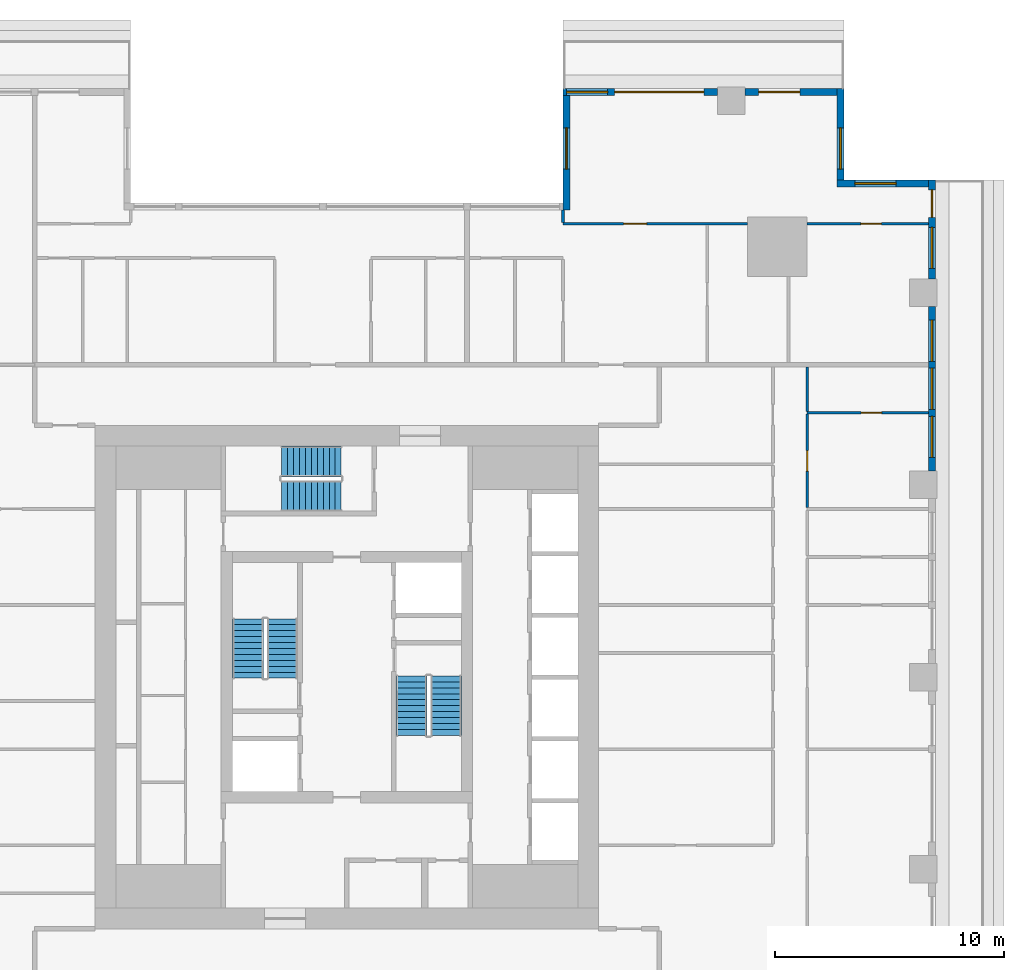
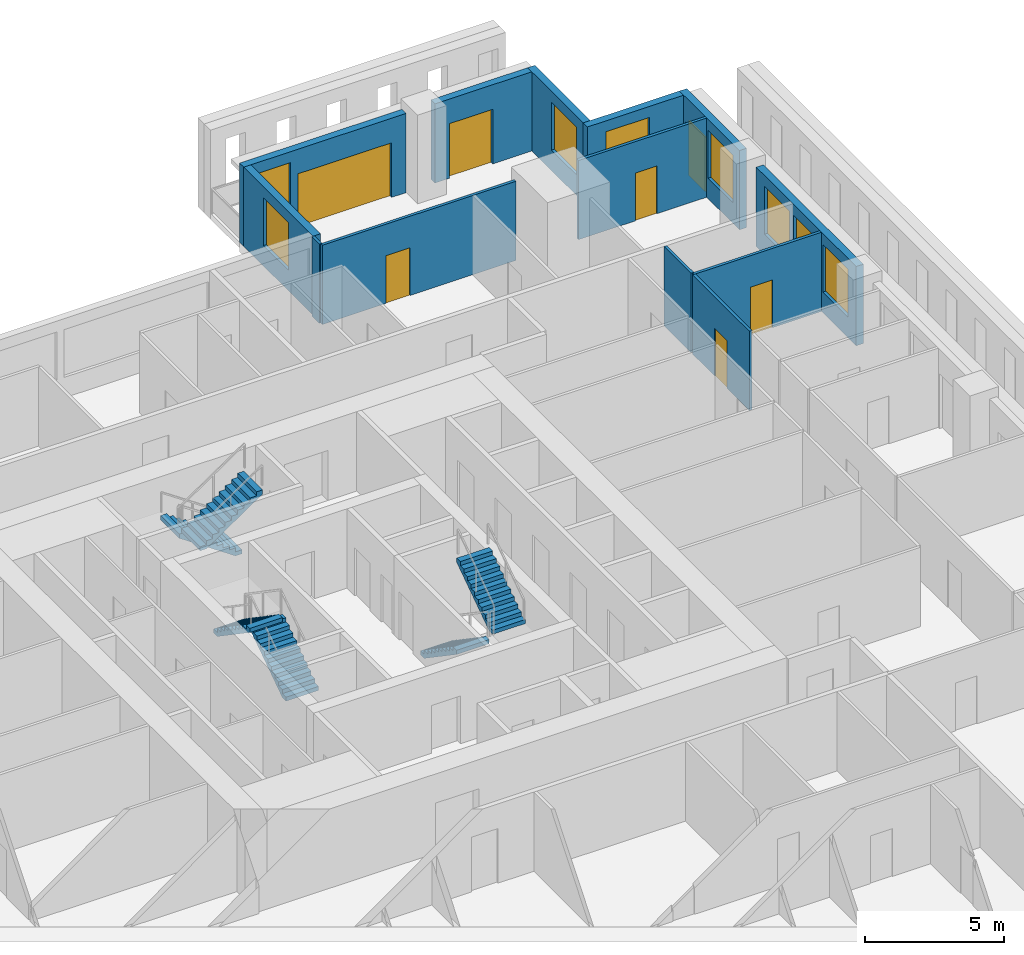
# One storey, part 9 of 15: 13 walls, 8 windows, 7 doors, 6 stair flights, 15 openings, 3 elements without a shape of their own.
"""IFC4 building model written with IfcOpenShell, lengths in metres."""

from ifc_helpers import new_model, si_unit, direction, frame, frame_2d, origin, place, context, subcontext, project, spatial, polyline, rectangle, outline, extrude, material, layer, layer_set, type_object, element, fill, aggregate, save


model = new_model("IFC4")

# Units and contexts
model_context = context("Model", 3, precision=1e-05, world=origin(), true_north=direction((0.0, 1.0)))
body_context = subcontext(model_context, "Body", "Model", "MODEL_VIEW")
ifc_project = project(units=[si_unit("LENGTHUNIT", "METRE"), si_unit("AREAUNIT", "SQUARE_METRE"), si_unit("VOLUMEUNIT", "CUBIC_METRE"), si_unit("PLANEANGLEUNIT", "RADIAN"), si_unit("MASSUNIT", "GRAM", prefix="KILO")], contexts=[model_context])

# Site, building, storey
site_placement = place(None, origin())
site = spatial("IfcSite", under=ifc_project, at=site_placement, CompositionType="ELEMENT")
building_placement = place(site_placement, origin())
building = spatial("IfcBuilding", under=site, at=building_placement, Name="Khepri Terraces", CompositionType="ELEMENT")
storey_placement = place(building_placement, frame((0.0, 0.0, 161.10009765625)))
storey = spatial("IfcBuildingStorey", under=building, at=storey_placement, Name="L38", CompositionType="ELEMENT", Elevation=161.10009765625)

# Wall, openings, windows
ifc_material_1 = material(Name="Precast concrete C50/60 warm stone", Category="masonry")
ifc_layer_1 = layer(ifc_material_1, 0.300048828125, Name="Precast concrete C50/60 warm stone", Category="masonry")
ifc_layer_set_1 = layer_set([ifc_layer_1], Name="Precast concrete C50/60 warm stone")
wall_type_1 = type_object("IfcWallType", Name="WL-EXT-PRECAST-300", PredefinedType="STANDARD", material=ifc_layer_set_1)
wall_1_placement = place(storey_placement, frame((25.570068359375, 9.0, 0.0), z_axis=(0.0, 0.0, 1.0), x_axis=(0.0, 1.0, 0.0)))
wall_1 = element("IfcWall", 1, at=wall_1_placement, inside=storey, type_object=wall_type_1, Name="External wall L38 E", PredefinedType="STANDARD", context=body_context, shape_type="SweptSolid", body=[
    extrude(rectangle(XDim=7.199951171875, YDim=0.300048828125, at=frame_2d((3.60009765625, 0.0))), origin(), (0.0, 0.0, 1.0), 3.47998046875),
])
opening_1_placement = place(wall_1_placement, frame((0.60009765625, 0.0, 0.89990234375)))
opening_1 = element("IfcOpeningElement", 2, at=opening_1_placement, cuts=wall_1, Name="Opening W1", PredefinedType="OPENING", context=body_context, shape_type="SweptSolid", body=[
    extrude(rectangle(XDim=1.800048828125, YDim=2.10009765625, at=frame_2d((0.89990234375, 1.050048828125))), frame((0.0, 0.16015625, 0.0), z_axis=(0.0, -1.0, 0.0), x_axis=(1.0, 0.0, 0.0)), (0.0, 0.0, 1.0), 0.320068359375),
])
opening_2_placement = place(wall_1_placement, frame((2.699951171875, 0.0, 0.89990234375)))
opening_2 = element("IfcOpeningElement", 3, at=opening_2_placement, cuts=wall_1, Name="Opening W1", PredefinedType="OPENING", context=body_context, shape_type="SweptSolid", body=[
    extrude(rectangle(XDim=1.800048828125, YDim=2.10009765625, at=frame_2d((0.89990234375, 1.050048828125))), frame((0.0, 0.16015625, 0.0), z_axis=(0.0, -1.0, 0.0), x_axis=(1.0, 0.0, 0.0)), (0.0, 0.0, 1.0), 0.320068359375),
])
opening_3_placement = place(wall_1_placement, frame((4.800048828125, 0.0, 0.89990234375)))
opening_3 = element("IfcOpeningElement", 4, at=opening_3_placement, cuts=wall_1, Name="Opening W1", PredefinedType="OPENING", context=body_context, shape_type="SweptSolid", body=[
    extrude(rectangle(XDim=1.800048828125, YDim=2.10009765625, at=frame_2d((0.89990234375, 1.050048828125))), frame((0.0, 0.16015625, 0.0), z_axis=(0.0, -1.0, 0.0), x_axis=(1.0, 0.0, 0.0)), (0.0, 0.0, 1.0), 0.320068359375),
])
ifc_material_2 = material(Name="Clear glass", Category="glass")
window_type = type_object("IfcWindowType", Name="WIN-RES-1800x2100", PartitioningType="SINGLE_PANEL", PredefinedType="WINDOW", material=ifc_material_2)
window_1_placement = place(opening_1_placement, origin())
window_1 = element("IfcWindow", 5, at=window_1_placement, inside=storey, type_object=window_type, Name="Window L38 E", OverallHeight=2.10009765625, OverallWidth=1.800048828125, PartitioningType="SINGLE_PANEL", PredefinedType="WINDOW", context=body_context, shape_type="SweptSolid", body=[
    extrude(rectangle(XDim=1.800048828125, YDim=2.10009765625, at=frame_2d((0.89990234375, 1.050048828125))), frame((0.0, 0.030029296875, 0.0), z_axis=(0.0, -1.0, 0.0), x_axis=(1.0, 0.0, 0.0)), (0.0, 0.0, 1.0), 0.06005859375),
])
fill(opening_1, window_1)
window_2_placement = place(opening_2_placement, origin())
window_2 = element("IfcWindow", 6, at=window_2_placement, inside=storey, type_object=window_type, Name="Window L38 E", OverallHeight=2.10009765625, OverallWidth=1.800048828125, PartitioningType="SINGLE_PANEL", PredefinedType="WINDOW", context=body_context, shape_type="SweptSolid", body=[
    extrude(rectangle(XDim=1.800048828125, YDim=2.10009765625, at=frame_2d((0.89990234375, 1.050048828125))), frame((0.0, 0.030029296875, 0.0), z_axis=(0.0, -1.0, 0.0), x_axis=(1.0, 0.0, 0.0)), (0.0, 0.0, 1.0), 0.06005859375),
])
fill(opening_2, window_2)
window_3_placement = place(opening_3_placement, origin())
window_3 = element("IfcWindow", 7, at=window_3_placement, inside=storey, type_object=window_type, Name="Window L38 E", OverallHeight=2.10009765625, OverallWidth=1.800048828125, PartitioningType="SINGLE_PANEL", PredefinedType="WINDOW", context=body_context, shape_type="SweptSolid", body=[
    extrude(rectangle(XDim=1.800048828125, YDim=2.10009765625, at=frame_2d((0.89990234375, 1.050048828125))), frame((0.0, 0.030029296875, 0.0), z_axis=(0.0, -1.0, 0.0), x_axis=(1.0, 0.0, 0.0)), (0.0, 0.0, 1.0), 0.06005859375),
])
fill(opening_3, window_3)

# Wall, openings, door, window
wall_2_placement = place(storey_placement, frame((25.570068359375, 17.39990234375, 0.0), z_axis=(0.0, 0.0, 1.0), x_axis=(0.0, 1.0, 0.0)))
wall_2 = element("IfcWall", 8, at=wall_2_placement, inside=storey, type_object=wall_type_1, Name="External wall L38 E", PredefinedType="STANDARD", context=body_context, shape_type="SweptSolid", body=[
    extrude(rectangle(XDim=4.320068359375, YDim=0.300048828125, at=frame_2d((2.16015625, 0.0))), origin(), (0.0, 0.0, 1.0), 3.47998046875),
])
opening_4_placement = place(wall_2_placement, frame((2.695068359375, 0.0, 0.0)))
opening_4 = element("IfcOpeningElement", 9, at=opening_4_placement, cuts=wall_2, Name="Opening ED-L38-07", PredefinedType="OPENING", context=body_context, shape_type="SweptSolid", body=[
    extrude(rectangle(XDim=1.199951171875, YDim=2.39990234375, at=frame_2d((0.60009765625, 1.199951171875))), frame((0.0, 0.16015625, 0.0), z_axis=(0.0, -1.0, 0.0), x_axis=(1.0, 0.0, 0.0)), (0.0, 0.0, 1.0), 0.320068359375),
])
opening_5_placement = place(wall_2_placement, frame((0.4599609375, 0.0, 0.89990234375)))
opening_5 = element("IfcOpeningElement", 10, at=opening_5_placement, cuts=wall_2, Name="Opening W1", PredefinedType="OPENING", context=body_context, shape_type="SweptSolid", body=[
    extrude(rectangle(XDim=1.800048828125, YDim=2.10009765625, at=frame_2d((0.89990234375, 1.050048828125))), frame((0.0, 0.16015625, 0.0), z_axis=(0.0, -1.0, 0.0), x_axis=(1.0, 0.0, 0.0)), (0.0, 0.0, 1.0), 0.320068359375),
])
ifc_material_3 = material(Name="Anodised aluminium bronze glazed door", Category="aluminium")
door_type_1 = type_object("IfcDoorType", Name="DR-BAL-SLIDE-1200x2400", OperationType="NOTDEFINED", PredefinedType="DOOR", material=ifc_material_3)
door_1_placement = place(opening_4_placement, origin())
door_1 = element("IfcDoor", 11, at=door_1_placement, inside=storey, type_object=door_type_1, Name="Balcony door L38 E", OperationType="SLIDING_TO_LEFT", OverallHeight=2.39990234375, OverallWidth=1.199951171875, PredefinedType="DOOR", context=body_context, shape_type="SweptSolid", body=[
    extrude(rectangle(XDim=1.199951171875, YDim=2.39990234375, at=frame_2d((0.60009765625, 1.199951171875))), frame((0.0, 0.02490234375, 0.0), z_axis=(0.0, -1.0, 0.0), x_axis=(1.0, 0.0, 0.0)), (0.0, 0.0, 1.0), 0.050048828125),
])
fill(opening_4, door_1)
window_4_placement = place(opening_5_placement, origin())
window_4 = element("IfcWindow", 12, at=window_4_placement, inside=storey, type_object=window_type, Name="Window L38 E", OverallHeight=2.10009765625, OverallWidth=1.800048828125, PartitioningType="SINGLE_PANEL", PredefinedType="WINDOW", context=body_context, shape_type="SweptSolid", body=[
    extrude(rectangle(XDim=1.800048828125, YDim=2.10009765625, at=frame_2d((0.89990234375, 1.050048828125))), frame((0.0, 0.030029296875, 0.0), z_axis=(0.0, -1.0, 0.0), x_axis=(1.0, 0.0, 0.0)), (0.0, 0.0, 1.0), 0.06005859375),
])
fill(opening_5, window_4)

# Wall, opening, window
wall_3_placement = place(storey_placement, frame((25.419921875, 21.570068359375, 0.0), z_axis=(0.0, 0.0, 1.0), x_axis=(-1.0, 0.0, 0.0)))
wall_3 = element("IfcWall", 13, at=wall_3_placement, inside=storey, type_object=wall_type_1, Name="External wall L38 N", PredefinedType="STANDARD", context=body_context, shape_type="SweptSolid", body=[
    extrude(rectangle(XDim=4.0, YDim=0.300048828125, at=frame_2d((2.0, 0.0))), origin(), (0.0, 0.0, 1.0), 3.47998046875),
])
opening_6_placement = place(wall_3_placement, frame((1.419921875, 0.0, 0.89990234375)))
opening_6 = element("IfcOpeningElement", 14, at=opening_6_placement, cuts=wall_3, Name="Opening W1", PredefinedType="OPENING", context=body_context, shape_type="SweptSolid", body=[
    extrude(rectangle(XDim=1.800048828125, YDim=2.10009765625, at=frame_2d((0.89990234375, 1.050048828125))), frame((0.0, 0.16015625, 0.0), z_axis=(0.0, -1.0, 0.0), x_axis=(1.0, 0.0, 0.0)), (0.0, 0.0, 1.0), 0.320068359375),
])
window_5_placement = place(opening_6_placement, origin())
window_5 = element("IfcWindow", 15, at=window_5_placement, inside=storey, type_object=window_type, Name="Window L38 N", OverallHeight=2.10009765625, OverallWidth=1.800048828125, PartitioningType="SINGLE_PANEL", PredefinedType="WINDOW", context=body_context, shape_type="SweptSolid", body=[
    extrude(rectangle(XDim=1.800048828125, YDim=2.10009765625, at=frame_2d((0.89990234375, 1.050048828125))), frame((0.0, 0.030029296875, 0.0), z_axis=(0.0, -1.0, 0.0), x_axis=(1.0, 0.0, 0.0)), (0.0, 0.0, 1.0), 0.06005859375),
])
fill(opening_6, window_5)

wall_4_placement = place(storey_placement, frame((21.570068359375, 21.719970703125, 0.0), z_axis=(0.0, 0.0, 1.0), x_axis=(0.0, 1.0, 0.0)))
wall_4 = element("IfcWall", 16, at=wall_4_placement, inside=storey, type_object=wall_type_1, Name="External wall L38 E", PredefinedType="STANDARD", context=body_context, shape_type="SweptSolid", body=[
    extrude(rectangle(XDim=4.0, YDim=0.300048828125, at=frame_2d((2.0, 0.0))), origin(), (0.0, 0.0, 1.0), 3.47998046875),
])
opening_7_placement = place(wall_4_placement, frame((0.47998046875, 0.0, 0.89990234375)))
opening_7 = element("IfcOpeningElement", 17, at=opening_7_placement, cuts=wall_4, Name="Opening W1", PredefinedType="OPENING", context=body_context, shape_type="SweptSolid", body=[
    extrude(rectangle(XDim=1.800048828125, YDim=2.10009765625, at=frame_2d((0.89990234375, 1.050048828125))), frame((0.0, 0.16015625, 0.0), z_axis=(0.0, -1.0, 0.0), x_axis=(1.0, 0.0, 0.0)), (0.0, 0.0, 1.0), 0.320068359375),
])
window_6_placement = place(opening_7_placement, origin())
window_6 = element("IfcWindow", 18, at=window_6_placement, inside=storey, type_object=window_type, Name="Window L38 E", OverallHeight=2.10009765625, OverallWidth=1.800048828125, PartitioningType="SINGLE_PANEL", PredefinedType="WINDOW", context=body_context, shape_type="SweptSolid", body=[
    extrude(rectangle(XDim=1.800048828125, YDim=2.10009765625, at=frame_2d((0.89990234375, 1.050048828125))), frame((0.0, 0.030029296875, 0.0), z_axis=(0.0, -1.0, 0.0), x_axis=(1.0, 0.0, 0.0)), (0.0, 0.0, 1.0), 0.06005859375),
])
fill(opening_7, window_6)

# Wall, opening, door
wall_5_placement = place(storey_placement, frame((21.419921875, 25.570068359375, 0.0), z_axis=(0.0, 0.0, 1.0), x_axis=(-1.0, 0.0, 0.0)))
wall_5 = element("IfcWall", 19, at=wall_5_placement, inside=storey, type_object=wall_type_1, Name="External wall L38 N", PredefinedType="STANDARD", context=body_context, shape_type="SweptSolid", body=[
    extrude(rectangle(XDim=4.02001953125, YDim=0.300048828125, at=frame_2d((2.010009765625, 0.0))), origin(), (0.0, 0.0, 1.0), 3.47998046875),
])
opening_8_placement = place(wall_5_placement, frame((1.6201171875, 0.0, 0.0)))
opening_8 = element("IfcOpeningElement", 20, at=opening_8_placement, cuts=wall_5, Name="Opening ED-L38-08", PredefinedType="OPENING", context=body_context, shape_type="SweptSolid", body=[
    extrude(rectangle(XDim=1.800048828125, YDim=2.39990234375, at=frame_2d((0.89990234375, 1.199951171875))), frame((0.0, 0.16015625, 0.0), z_axis=(0.0, -1.0, 0.0), x_axis=(1.0, 0.0, 0.0)), (0.0, 0.0, 1.0), 0.320068359375),
])
door_type_2 = type_object("IfcDoorType", Name="DR-BAL-SLIDE-1800x2400", OperationType="NOTDEFINED", PredefinedType="DOOR", material=ifc_material_3)
door_2_placement = place(opening_8_placement, origin())
door_2 = element("IfcDoor", 21, at=door_2_placement, inside=storey, type_object=door_type_2, Name="Balcony door L38 N", OperationType="SLIDING_TO_RIGHT", OverallHeight=2.39990234375, OverallWidth=1.800048828125, PredefinedType="DOOR", context=body_context, shape_type="SweptSolid", body=[
    extrude(rectangle(XDim=1.800048828125, YDim=2.39990234375, at=frame_2d((0.89990234375, 1.199951171875))), frame((0.0, 0.02490234375, 0.0), z_axis=(0.0, -1.0, 0.0), x_axis=(1.0, 0.0, 0.0)), (0.0, 0.0, 1.0), 0.050048828125),
])
fill(opening_8, door_2)

# Wall, openings, door, window
wall_6_placement = place(storey_placement, frame((16.199951171875, 25.570068359375, 0.0), z_axis=(0.0, 0.0, 1.0), x_axis=(-1.0, 0.0, 0.0)))
wall_6 = element("IfcWall", 22, at=wall_6_placement, inside=storey, type_object=wall_type_1, Name="External wall L38 N", PredefinedType="STANDARD", context=body_context, shape_type="SweptSolid", body=[
    extrude(rectangle(XDim=6.75, YDim=0.300048828125, at=frame_2d((3.375, 0.0))), origin(), (0.0, 0.0, 1.0), 3.47998046875),
])
opening_9_placement = place(wall_6_placement, frame((0.60009765625, 0.0, 0.0)))
opening_9 = element("IfcOpeningElement", 23, at=opening_9_placement, cuts=wall_6, Name="Opening ED-L38-09", PredefinedType="OPENING", context=body_context, shape_type="SweptSolid", body=[
    extrude(rectangle(XDim=3.89990234375, YDim=2.39990234375, at=frame_2d((1.949951171875, 1.199951171875))), frame((0.0, 0.16015625, 0.0), z_axis=(0.0, -1.0, 0.0), x_axis=(1.0, 0.0, 0.0)), (0.0, 0.0, 1.0), 0.320068359375),
])
opening_10_placement = place(wall_6_placement, frame((4.800048828125, 0.0, 0.89990234375)))
opening_10 = element("IfcOpeningElement", 24, at=opening_10_placement, cuts=wall_6, Name="Opening W1", PredefinedType="OPENING", context=body_context, shape_type="SweptSolid", body=[
    extrude(rectangle(XDim=1.800048828125, YDim=2.10009765625, at=frame_2d((0.89990234375, 1.050048828125))), frame((0.0, 0.16015625, 0.0), z_axis=(0.0, -1.0, 0.0), x_axis=(1.0, 0.0, 0.0)), (0.0, 0.0, 1.0), 0.320068359375),
])
door_type_3 = type_object("IfcDoorType", Name="DR-BAL-SLIDE-3900x2400", OperationType="NOTDEFINED", PredefinedType="DOOR", material=ifc_material_3)
door_3_placement = place(opening_9_placement, origin())
door_3 = element("IfcDoor", 25, at=door_3_placement, inside=storey, type_object=door_type_3, Name="Balcony door L38 N", OperationType="SLIDING_TO_LEFT", OverallHeight=2.39990234375, OverallWidth=3.89990234375, PredefinedType="DOOR", context=body_context, shape_type="SweptSolid", body=[
    extrude(rectangle(XDim=3.89990234375, YDim=2.39990234375, at=frame_2d((1.949951171875, 1.199951171875))), frame((0.0, 0.02490234375, 0.0), z_axis=(0.0, -1.0, 0.0), x_axis=(1.0, 0.0, 0.0)), (0.0, 0.0, 1.0), 0.050048828125),
])
fill(opening_9, door_3)
window_7_placement = place(opening_10_placement, origin())
window_7 = element("IfcWindow", 26, at=window_7_placement, inside=storey, type_object=window_type, Name="Window L38 N", OverallHeight=2.10009765625, OverallWidth=1.800048828125, PartitioningType="SINGLE_PANEL", PredefinedType="WINDOW", context=body_context, shape_type="SweptSolid", body=[
    extrude(rectangle(XDim=1.800048828125, YDim=2.10009765625, at=frame_2d((0.89990234375, 1.050048828125))), frame((0.0, 0.030029296875, 0.0), z_axis=(0.0, -1.0, 0.0), x_axis=(1.0, 0.0, 0.0)), (0.0, 0.0, 1.0), 0.06005859375),
])
fill(opening_10, window_7)

# Wall, opening, window
wall_7_placement = place(storey_placement, frame((9.60009765625, 25.419921875, 0.0), z_axis=(0.0, 0.0, 1.0), x_axis=(0.0, -1.0, 0.0)))
wall_7 = element("IfcWall", 27, at=wall_7_placement, inside=storey, type_object=wall_type_1, Name="External wall L38 W", PredefinedType="STANDARD", context=body_context, shape_type="SweptSolid", body=[
    extrude(rectangle(XDim=5.0, YDim=0.300048828125, at=frame_2d((2.5, 0.0))), origin(), (0.0, 0.0, 1.0), 3.47998046875),
])
opening_11_placement = place(wall_7_placement, frame((1.419921875, 0.0, 0.89990234375)))
opening_11 = element("IfcOpeningElement", 28, at=opening_11_placement, cuts=wall_7, Name="Opening W1", PredefinedType="OPENING", context=body_context, shape_type="SweptSolid", body=[
    extrude(rectangle(XDim=1.800048828125, YDim=2.10009765625, at=frame_2d((0.89990234375, 1.050048828125))), frame((0.0, 0.16015625, 0.0), z_axis=(0.0, -1.0, 0.0), x_axis=(1.0, 0.0, 0.0)), (0.0, 0.0, 1.0), 0.320068359375),
])
window_8_placement = place(opening_11_placement, origin())
window_8 = element("IfcWindow", 29, at=window_8_placement, inside=storey, type_object=window_type, Name="Window L38 W", OverallHeight=2.10009765625, OverallWidth=1.800048828125, PartitioningType="SINGLE_PANEL", PredefinedType="WINDOW", context=body_context, shape_type="SweptSolid", body=[
    extrude(rectangle(XDim=1.800048828125, YDim=2.10009765625, at=frame_2d((0.89990234375, 1.050048828125))), frame((0.0, 0.030029296875, 0.0), z_axis=(0.0, -1.0, 0.0), x_axis=(1.0, 0.0, 0.0)), (0.0, 0.0, 1.0), 0.06005859375),
])
fill(opening_11, window_8)

# Wall, opening, door
ifc_material_4 = material(Name="Gypsum plasterboard partition")
ifc_layer_2 = layer(ifc_material_4, 0.1201171875, Name="Gypsum plasterboard partition")
ifc_layer_set_2 = layer_set([ifc_layer_2], Name="Gypsum plasterboard partition")
wall_type_2 = type_object("IfcWallType", Name="WL-PART-120", PredefinedType="PARTITIONING", material=ifc_layer_set_2)
wall_8_placement = place(storey_placement, frame((20.1201171875, 7.409912109375, 0.0), z_axis=(0.0, 0.0, 1.0), x_axis=(0.0, 1.0, 0.0)))
wall_8 = element("IfcWall", 30, at=wall_8_placement, inside=storey, type_object=wall_type_2, Name="Partition P-072 L38", PredefinedType="PARTITIONING", context=body_context, shape_type="SweptSolid", body=[
    extrude(rectangle(XDim=4.080078125, YDim=0.1201171875, at=frame_2d((2.0400390625, 0.0))), origin(), (0.0, 0.0, 1.0), 3.47998046875),
])
opening_12_placement = place(wall_8_placement, frame((1.590087890625, 0.0, 0.0)))
opening_12 = element("IfcOpeningElement", 31, at=opening_12_placement, cuts=wall_8, Name="Opening D3", PredefinedType="OPENING", context=body_context, shape_type="SweptSolid", body=[
    extrude(rectangle(XDim=0.89990234375, YDim=2.10009765625, at=frame_2d((0.449951171875, 1.050048828125))), frame((0.0, 0.070068359375, 0.0), z_axis=(0.0, -1.0, 0.0), x_axis=(1.0, 0.0, 0.0)), (0.0, 0.0, 1.0), 0.14013671875),
])
ifc_material_5 = material(Name="Timber door leaf", Category="wood")
door_type_4 = type_object("IfcDoorType", Name="DR-INT-900", OperationType="NOTDEFINED", PredefinedType="DOOR", material=ifc_material_5)
door_4_placement = place(opening_12_placement, frame((0.89990234375, 0.0, 0.0), z_axis=(0.0, 0.0, 1.0), x_axis=(-1.0, 0.0, 0.0)))
door_4 = element("IfcDoor", 32, at=door_4_placement, inside=storey, type_object=door_type_4, Name="Door Bedroom", OperationType="SINGLE_SWING_RIGHT", OverallHeight=2.10009765625, OverallWidth=0.89990234375, PredefinedType="DOOR", context=body_context, shape_type="SweptSolid", body=[
    extrude(rectangle(XDim=0.89990234375, YDim=2.10009765625, at=frame_2d((0.449951171875, 1.050048828125))), frame((0.0, 0.02490234375, 0.0), z_axis=(0.0, -1.0, 0.0), x_axis=(1.0, 0.0, 0.0)), (0.0, 0.0, 1.0), 0.050048828125),
])
fill(opening_12, door_4)

wall_9_placement = place(storey_placement, frame((20.1201171875, 11.550048828125, 0.0), z_axis=(0.0, 0.0, 1.0), x_axis=(1.0, 0.0, 0.0)))
wall_9 = element("IfcWall", 33, at=wall_9_placement, inside=storey, type_object=wall_type_2, Name="Partition P-080 L38", PredefinedType="PARTITIONING", context=body_context, shape_type="SweptSolid", body=[
    extrude(rectangle(XDim=5.2998046875, YDim=0.1201171875, at=frame_2d((2.64990234375, 0.0))), origin(), (0.0, 0.0, 1.0), 3.47998046875),
])
opening_13_placement = place(wall_9_placement, frame((2.35009765625, 0.0, 0.0)))
opening_13 = element("IfcOpeningElement", 34, at=opening_13_placement, cuts=wall_9, Name="Opening D4", PredefinedType="OPENING", context=body_context, shape_type="SweptSolid", body=[
    extrude(rectangle(XDim=0.89990234375, YDim=2.10009765625, at=frame_2d((0.449951171875, 1.050048828125))), frame((0.0, 0.070068359375, 0.0), z_axis=(0.0, -1.0, 0.0), x_axis=(1.0, 0.0, 0.0)), (0.0, 0.0, 1.0), 0.14013671875),
])
ifc_material_6 = material(Name="Timber door leaf, moisture resistant", Category="wood")
door_type_5 = type_object("IfcDoorType", Name="DR-WET-900", OperationType="NOTDEFINED", PredefinedType="DOOR", material=ifc_material_6)
door_5_placement = place(opening_13_placement, origin())
door_5 = element("IfcDoor", 35, at=door_5_placement, inside=storey, type_object=door_type_5, Name="Door Bathroom", OperationType="SINGLE_SWING_RIGHT", OverallHeight=2.10009765625, OverallWidth=0.89990234375, PredefinedType="DOOR", context=body_context, shape_type="SweptSolid", body=[
    extrude(rectangle(XDim=0.89990234375, YDim=2.10009765625, at=frame_2d((0.449951171875, 1.050048828125))), frame((0.0, 0.02490234375, 0.0), z_axis=(0.0, -1.0, 0.0), x_axis=(1.0, 0.0, 0.0)), (0.0, 0.0, 1.0), 0.050048828125),
])
fill(opening_13, door_5)

# Wall
wall_10_placement = place(storey_placement, frame((20.1201171875, 11.610107421875, 0.0), z_axis=(0.0, 0.0, 1.0), x_axis=(0.0, 1.0, 0.0)))
element("IfcWall", 36, at=wall_10_placement, inside=storey, type_object=wall_type_2, Name="Partition P-082 L38", PredefinedType="PARTITIONING", context=body_context, shape_type="SweptSolid", body=[
    extrude(rectangle(XDim=1.93994140625, YDim=0.1201171875, at=frame_2d((0.969970703125, 0.0))), origin(), (0.0, 0.0, 1.0), 3.47998046875),
])

# Wall, opening, door
wall_11_placement = place(storey_placement, frame((9.449951171875, 19.820068359375, 0.0), z_axis=(0.0, 0.0, 1.0), x_axis=(1.0, 0.0, 0.0)))
wall_11 = element("IfcWall", 37, at=wall_11_placement, inside=storey, type_object=wall_type_2, Name="Partition P-101 L38", PredefinedType="PARTITIONING", context=body_context, shape_type="SweptSolid", body=[
    extrude(rectangle(XDim=8.050048828125, YDim=0.1201171875, at=frame_2d((4.02490234375, 0.0))), origin(), (0.0, 0.0, 1.0), 3.47998046875),
])
opening_14_placement = place(wall_11_placement, frame((2.64990234375, 0.0, 0.0)))
opening_14 = element("IfcOpeningElement", 38, at=opening_14_placement, cuts=wall_11, Name="Opening D2", PredefinedType="OPENING", context=body_context, shape_type="SweptSolid", body=[
    extrude(rectangle(XDim=1.0, YDim=2.10009765625, at=frame_2d((0.5, 1.050048828125))), frame((0.0, 0.070068359375, 0.0), z_axis=(0.0, -1.0, 0.0), x_axis=(1.0, 0.0, 0.0)), (0.0, 0.0, 1.0), 0.14013671875),
])
ifc_material_7 = material(Name="Timber door leaf, living room door", Category="wood")
door_type_6 = type_object("IfcDoorType", Name="DR-INT-1000", OperationType="NOTDEFINED", PredefinedType="DOOR", material=ifc_material_7)
door_6_placement = place(opening_14_placement, origin())
door_6 = element("IfcDoor", 39, at=door_6_placement, inside=storey, type_object=door_type_6, Name="Door Living Room", OperationType="SINGLE_SWING_LEFT", OverallHeight=2.10009765625, OverallWidth=1.0, PredefinedType="DOOR", context=body_context, shape_type="SweptSolid", body=[
    extrude(rectangle(XDim=1.0, YDim=2.10009765625, at=frame_2d((0.5, 1.050048828125))), frame((0.0, 0.02490234375, 0.0), z_axis=(0.0, -1.0, 0.0), x_axis=(1.0, 0.0, 0.0)), (0.0, 0.0, 1.0), 0.050048828125),
])
fill(opening_14, door_6)

wall_12_placement = place(storey_placement, frame((20.10009765625, 19.820068359375, 0.0), z_axis=(0.0, 0.0, 1.0), x_axis=(1.0, 0.0, 0.0)))
wall_12 = element("IfcWall", 40, at=wall_12_placement, inside=storey, type_object=wall_type_2, Name="Partition P-102 L38", PredefinedType="PARTITIONING", context=body_context, shape_type="SweptSolid", body=[
    extrude(rectangle(XDim=5.31982421875, YDim=0.1201171875, at=frame_2d((2.659912109375, 0.0))), origin(), (0.0, 0.0, 1.0), 3.47998046875),
])
opening_15_placement = place(wall_12_placement, frame((2.360107421875, 0.0, 0.0)))
opening_15 = element("IfcOpeningElement", 41, at=opening_15_placement, cuts=wall_12, Name="Opening D3", PredefinedType="OPENING", context=body_context, shape_type="SweptSolid", body=[
    extrude(rectangle(XDim=0.89990234375, YDim=2.10009765625, at=frame_2d((0.449951171875, 1.050048828125))), frame((0.0, 0.070068359375, 0.0), z_axis=(0.0, -1.0, 0.0), x_axis=(1.0, 0.0, 0.0)), (0.0, 0.0, 1.0), 0.14013671875),
])
door_7_placement = place(opening_15_placement, frame((0.89990234375, 0.0, 0.0), z_axis=(0.0, 0.0, 1.0), x_axis=(-1.0, 0.0, 0.0)))
door_7 = element("IfcDoor", 42, at=door_7_placement, inside=storey, type_object=door_type_4, Name="Door Staff Bedroom", OperationType="SINGLE_SWING_LEFT", OverallHeight=2.10009765625, OverallWidth=0.89990234375, PredefinedType="DOOR", context=body_context, shape_type="SweptSolid", body=[
    extrude(rectangle(XDim=0.89990234375, YDim=2.10009765625, at=frame_2d((0.449951171875, 1.050048828125))), frame((0.0, 0.02490234375, 0.0), z_axis=(0.0, -1.0, 0.0), x_axis=(1.0, 0.0, 0.0)), (0.0, 0.0, 1.0), 0.050048828125),
])
fill(opening_15, door_7)

# Wall
wall_13_placement = place(storey_placement, frame((9.449951171875, 19.8798828125, 0.0), z_axis=(0.0, 0.0, 1.0), x_axis=(0.0, 1.0, 0.0)))
element("IfcWall", 43, at=wall_13_placement, inside=storey, type_object=wall_type_2, Name="Partition P-104 L38", PredefinedType="PARTITIONING", context=body_context, shape_type="SweptSolid", body=[
    extrude(rectangle(XDim=0.5400390625, YDim=0.1201171875, at=frame_2d((0.27001953125, 0.0))), origin(), (0.0, 0.0, 1.0), 3.47998046875),
])

# Stair, stair flights
ifc_material_8 = material(Name="Concrete C40/50", Category="concrete")
stair_type = type_object("IfcStairType", Name="STAIR-RC-22R", PredefinedType="HALF_TURN_STAIR", material=ifc_material_8)
stair_1_placement = place(storey_placement, origin())
stair_1 = element("IfcStair", 44, at=stair_1_placement, inside=storey, type_object=stair_type, Name="L38 Exit Stair ST-1", PredefinedType="HALF_TURN_STAIR")
stair_flight_type = type_object("IfcStairFlightType", Name="SFL-RC-177.3", PredefinedType="STRAIGHT", material=ifc_material_8)
stair_flight_1_placement = place(storey_placement, frame((-2.824951171875, -0.050048828125, 0.0), z_axis=(0.0, 0.0, 1.0), x_axis=(0.0, 1.0, 0.0)))
stair_flight_1 = element("IfcStairFlight", 45, at=stair_flight_1_placement, type_object=stair_flight_type, Name="ST-1 flight 1", NumberOfRisers=11, NumberOfTreads=10, PredefinedType="STRAIGHT", RiserHeight=0.177272727, TreadLength=0.26, context=body_context, shape_type="SweptSolid", body=[
    extrude(outline(polyline([(0.0, 0.0), (0.0, 0.17724609375), (0.260009765625, 0.17724609375), (0.260009765625, 0.3544921875), (0.52001953125, 0.3544921875), (0.52001953125, 0.53173828125), (0.780029296875, 0.53173828125), (0.780029296875, 0.708984375), (1.0400390625, 0.708984375), (1.0400390625, 0.886474609375), (1.300048828125, 0.886474609375), (1.300048828125, 1.063720703125), (1.56005859375, 1.063720703125), (1.56005859375, 1.240966796875), (1.820068359375, 1.240966796875), (1.820068359375, 1.418212890625), (2.080078125, 1.418212890625), (2.080078125, 1.595458984375), (2.340087890625, 1.595458984375), (2.340087890625, 1.772705078125), (2.60009765625, 1.772705078125), (2.60009765625, 1.949951171875), (2.60009765625, 1.59130859375), (0.26611328125, 0.0), (0.0, 0.0)])), frame((0.0, 0.675048828125, 0.0), z_axis=(0.0, -1.0, 0.0), x_axis=(1.0, 0.0, 0.0)), (0.0, 0.0, 1.0), 1.35009765625),
])
stair_flight_2_placement = place(storey_placement, frame((-4.324951171875, 2.550048828125, 1.949951171875), z_axis=(0.0, 0.0, 1.0), x_axis=(0.0, -1.0, 0.0)))
stair_flight_2 = element("IfcStairFlight", 46, at=stair_flight_2_placement, type_object=stair_flight_type, Name="ST-1 flight 2", NumberOfRisers=11, NumberOfTreads=10, PredefinedType="STRAIGHT", RiserHeight=0.177272727, TreadLength=0.26, context=body_context, shape_type="SweptSolid", body=[
    extrude(outline(polyline([(0.0, 0.0), (0.0, 0.17724609375), (0.260009765625, 0.17724609375), (0.260009765625, 0.3544921875), (0.52001953125, 0.3544921875), (0.52001953125, 0.53173828125), (0.780029296875, 0.53173828125), (0.780029296875, 0.708984375), (1.0400390625, 0.708984375), (1.0400390625, 0.886474609375), (1.300048828125, 0.886474609375), (1.300048828125, 1.063720703125), (1.56005859375, 1.063720703125), (1.56005859375, 1.240966796875), (1.820068359375, 1.240966796875), (1.820068359375, 1.418212890625), (2.080078125, 1.418212890625), (2.080078125, 1.595458984375), (2.340087890625, 1.595458984375), (2.340087890625, 1.772705078125), (2.60009765625, 1.772705078125), (2.60009765625, 1.949951171875), (2.60009765625, 1.59130859375), (0.26611328125, 0.0), (0.0, 0.0)])), frame((0.0, 0.675048828125, 0.0), z_axis=(0.0, -1.0, 0.0), x_axis=(1.0, 0.0, 0.0)), (0.0, 0.0, 1.0), 1.35009765625),
])
aggregate(stair_1, [stair_flight_1, stair_flight_2])

stair_2_placement = place(storey_placement, origin())
stair_2 = element("IfcStair", 47, at=stair_2_placement, inside=storey, type_object=stair_type, Name="L38 Exit Stair ST-2", PredefinedType="HALF_TURN_STAIR")
stair_flight_3_placement = place(storey_placement, frame((2.824951171875, 0.050048828125, 0.0), z_axis=(0.0, 0.0, 1.0), x_axis=(0.0, -1.0, 0.0)))
stair_flight_3 = element("IfcStairFlight", 48, at=stair_flight_3_placement, type_object=stair_flight_type, Name="ST-2 flight 1", NumberOfRisers=11, NumberOfTreads=10, PredefinedType="STRAIGHT", RiserHeight=0.177272727, TreadLength=0.26, context=body_context, shape_type="SweptSolid", body=[
    extrude(outline(polyline([(0.0, 0.0), (0.0, 0.17724609375), (0.260009765625, 0.17724609375), (0.260009765625, 0.3544921875), (0.52001953125, 0.3544921875), (0.52001953125, 0.53173828125), (0.780029296875, 0.53173828125), (0.780029296875, 0.708984375), (1.0400390625, 0.708984375), (1.0400390625, 0.886474609375), (1.300048828125, 0.886474609375), (1.300048828125, 1.063720703125), (1.56005859375, 1.063720703125), (1.56005859375, 1.240966796875), (1.820068359375, 1.240966796875), (1.820068359375, 1.418212890625), (2.080078125, 1.418212890625), (2.080078125, 1.595458984375), (2.340087890625, 1.595458984375), (2.340087890625, 1.772705078125), (2.60009765625, 1.772705078125), (2.60009765625, 1.949951171875), (2.60009765625, 1.59130859375), (0.26611328125, 0.0), (0.0, 0.0)])), frame((0.0, 0.675048828125, 0.0), z_axis=(0.0, -1.0, 0.0), x_axis=(1.0, 0.0, 0.0)), (0.0, 0.0, 1.0), 1.35009765625),
])
stair_flight_4_placement = place(storey_placement, frame((4.324951171875, -2.550048828125, 1.949951171875), z_axis=(0.0, 0.0, 1.0), x_axis=(0.0, 1.0, 0.0)))
stair_flight_4 = element("IfcStairFlight", 49, at=stair_flight_4_placement, type_object=stair_flight_type, Name="ST-2 flight 2", NumberOfRisers=11, NumberOfTreads=10, PredefinedType="STRAIGHT", RiserHeight=0.177272727, TreadLength=0.26, context=body_context, shape_type="SweptSolid", body=[
    extrude(outline(polyline([(0.0, 0.0), (0.0, 0.17724609375), (0.260009765625, 0.17724609375), (0.260009765625, 0.3544921875), (0.52001953125, 0.3544921875), (0.52001953125, 0.53173828125), (0.780029296875, 0.53173828125), (0.780029296875, 0.708984375), (1.0400390625, 0.708984375), (1.0400390625, 0.886474609375), (1.300048828125, 0.886474609375), (1.300048828125, 1.063720703125), (1.56005859375, 1.063720703125), (1.56005859375, 1.240966796875), (1.820068359375, 1.240966796875), (1.820068359375, 1.418212890625), (2.080078125, 1.418212890625), (2.080078125, 1.595458984375), (2.340087890625, 1.595458984375), (2.340087890625, 1.772705078125), (2.60009765625, 1.772705078125), (2.60009765625, 1.949951171875), (2.60009765625, 1.59130859375), (0.26611328125, 0.0), (0.0, 0.0)])), frame((0.0, 0.675048828125, 0.0), z_axis=(0.0, -1.0, 0.0), x_axis=(1.0, 0.0, 0.0)), (0.0, 0.0, 1.0), 1.35009765625),
])
aggregate(stair_2, [stair_flight_3, stair_flight_4])

stair_3_placement = place(storey_placement, origin())
stair_3 = element("IfcStair", 50, at=stair_3_placement, inside=storey, type_object=stair_type, Name="L38 Exit Stair ST-3", PredefinedType="HALF_TURN_STAIR")
stair_flight_5_placement = place(storey_placement, frame((-0.25, 9.425048828125, 0.0), z_axis=(0.0, 0.0, 1.0), x_axis=(-1.0, 0.0, 0.0)))
stair_flight_5 = element("IfcStairFlight", 51, at=stair_flight_5_placement, type_object=stair_flight_type, Name="ST-3 flight 1", NumberOfRisers=11, NumberOfTreads=10, PredefinedType="STRAIGHT", RiserHeight=0.177272727, TreadLength=0.26, context=body_context, shape_type="SweptSolid", body=[
    extrude(outline(polyline([(0.0, 0.0), (0.0, 0.17724609375), (0.260009765625, 0.17724609375), (0.260009765625, 0.3544921875), (0.52001953125, 0.3544921875), (0.52001953125, 0.53173828125), (0.780029296875, 0.53173828125), (0.780029296875, 0.708984375), (1.0400390625, 0.708984375), (1.0400390625, 0.886474609375), (1.300048828125, 0.886474609375), (1.300048828125, 1.063720703125), (1.56005859375, 1.063720703125), (1.56005859375, 1.240966796875), (1.820068359375, 1.240966796875), (1.820068359375, 1.418212890625), (2.080078125, 1.418212890625), (2.080078125, 1.595458984375), (2.340087890625, 1.595458984375), (2.340087890625, 1.772705078125), (2.60009765625, 1.772705078125), (2.60009765625, 1.949951171875), (2.60009765625, 1.59130859375), (0.26611328125, 0.0), (0.0, 0.0)])), frame((0.0, 0.675048828125, 0.0), z_axis=(0.0, -1.0, 0.0), x_axis=(1.0, 0.0, 0.0)), (0.0, 0.0, 1.0), 1.35009765625),
])
stair_flight_6_placement = place(storey_placement, frame((-2.85009765625, 7.925048828125, 1.949951171875), z_axis=(0.0, 0.0, 1.0), x_axis=(1.0, 0.0, 0.0)))
stair_flight_6 = element("IfcStairFlight", 52, at=stair_flight_6_placement, type_object=stair_flight_type, Name="ST-3 flight 2", NumberOfRisers=11, NumberOfTreads=10, PredefinedType="STRAIGHT", RiserHeight=0.177272727, TreadLength=0.26, context=body_context, shape_type="SweptSolid", body=[
    extrude(outline(polyline([(0.0, 0.0), (0.0, 0.17724609375), (0.260009765625, 0.17724609375), (0.260009765625, 0.3544921875), (0.52001953125, 0.3544921875), (0.52001953125, 0.53173828125), (0.780029296875, 0.53173828125), (0.780029296875, 0.708984375), (1.0400390625, 0.708984375), (1.0400390625, 0.886474609375), (1.300048828125, 0.886474609375), (1.300048828125, 1.063720703125), (1.56005859375, 1.063720703125), (1.56005859375, 1.240966796875), (1.820068359375, 1.240966796875), (1.820068359375, 1.418212890625), (2.080078125, 1.418212890625), (2.080078125, 1.595458984375), (2.340087890625, 1.595458984375), (2.340087890625, 1.772705078125), (2.60009765625, 1.772705078125), (2.60009765625, 1.949951171875), (2.60009765625, 1.59130859375), (0.26611328125, 0.0), (0.0, 0.0)])), frame((0.0, 0.675048828125, 0.0), z_axis=(0.0, -1.0, 0.0), x_axis=(1.0, 0.0, 0.0)), (0.0, 0.0, 1.0), 1.35009765625),
])
aggregate(stair_3, [stair_flight_5, stair_flight_6])

save(model, "model.ifc")
